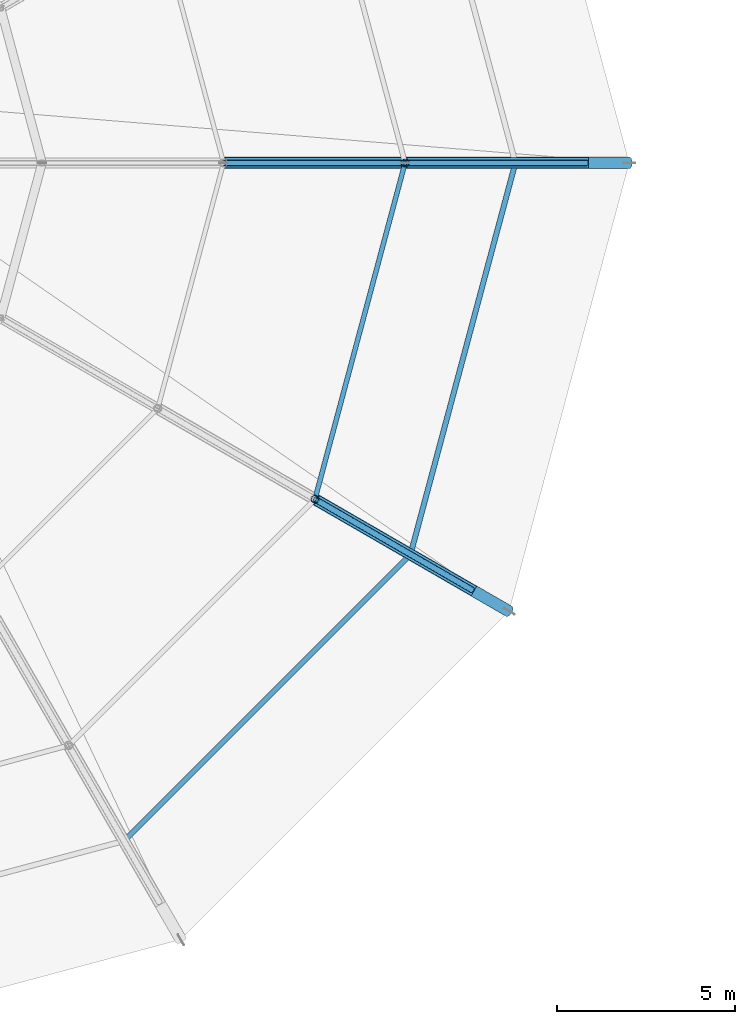
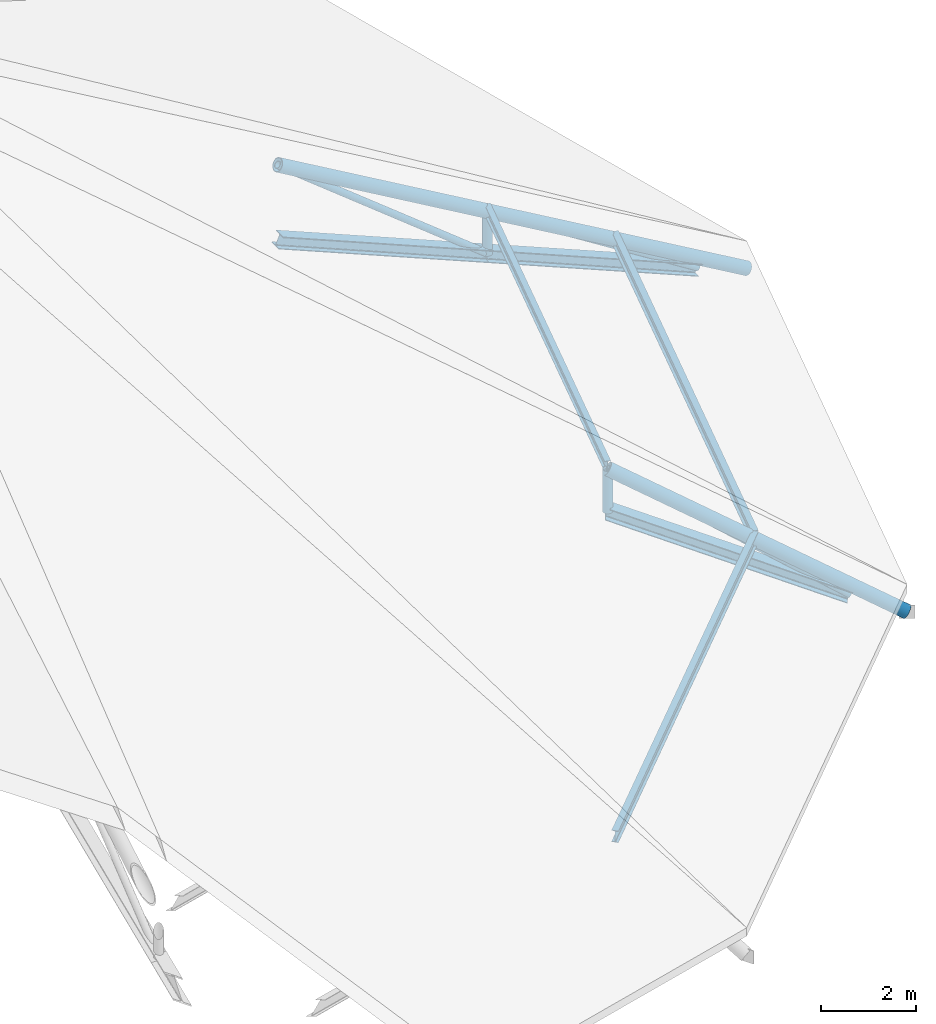
# One storey, part 21 of 58: 14 members.
"""IFC4 building model written with IfcOpenShell, lengths in metres."""

from ifc_helpers import new_model, si_unit, derived_unit, direction, frame, origin, origin_2d, place, context, subcontext, project, spatial, hollow_circle, i_section, extrude, material, material_profile, profile_set, type_object, element, save


model = new_model("IFC4")

# Units and contexts
model_context = context("Model", 3, precision=1e-05, world=origin(), true_north=direction((0.0, 1.0)))
body_context = subcontext(model_context, "Body", "Model", "MODEL_VIEW")
ifc_project = project(units=[si_unit("LENGTHUNIT", "METRE"), si_unit("AREAUNIT", "SQUARE_METRE"), si_unit("VOLUMEUNIT", "CUBIC_METRE"), si_unit("PLANEANGLEUNIT", "RADIAN"), si_unit("MASSUNIT", "GRAM", prefix="KILO"), derived_unit("THERMALTRANSMITTANCEUNIT", [(si_unit("POWERUNIT", "WATT"), 1), (si_unit("AREAUNIT", "SQUARE_METRE"), -1), (si_unit("THERMODYNAMICTEMPERATUREUNIT", "KELVIN"), -1)])], contexts=[model_context])

# Site, building, storey
site_placement = place(None, origin())
site = spatial("IfcSite", under=ifc_project, at=site_placement, CompositionType="ELEMENT")
building_placement = place(site_placement, origin())
building = spatial("IfcBuilding", under=site, at=building_placement, Name="Yasenodar Specialist Clinic", CompositionType="ELEMENT")
storey_placement = place(building_placement, frame((0.0, 0.0, 21.300048828125)))
storey = spatial("IfcBuildingStorey", under=building, at=storey_placement, Name="L05", CompositionType="ELEMENT", Elevation=21.300048828125)

# Members
ifc_material = material(Name="Steel S355", Category="steel")
ifc_material_profile_1 = material_profile(ifc_material, i_section(OverallWidth=0.135009765625, OverallDepth=0.27001953125, WebThickness=0.006591796875, FlangeThickness=0.01025390625, FilletRadius=0.014892578125, at=origin_2d()), Name="IPE 270")
ifc_profile_set_1 = profile_set([ifc_material_profile_1], Name="Steel S355")
member_type_1 = type_object("IfcMemberType", Name="PR-IPE270", PredefinedType="PURLIN", material=ifc_profile_set_1)
member_1_placement = place(storey_placement, frame((97.367919921875, 49.35009765625, 3.034912109375), z_axis=(0.258807184805, 0.965929004168, 0.0), x_axis=(-0.965929004168, 0.258807184805, 0.0)))
element("IfcMember", 1, at=member_1_placement, inside=storey, type_object=member_type_1, Name="Drum Roof Concentric Purlin 2.12", PredefinedType="PURLIN", context=body_context, shape_type="SweptSolid", body=[
    extrude(i_section(OverallWidth=0.135009765625, OverallDepth=0.27001953125, WebThickness=0.006591796875, FlangeThickness=0.01025390625, FilletRadius=0.014892578125, at=origin_2d()), origin(), (0.0, 0.0, 1.0), 9.783203125),
])
ifc_material_profile_2 = material_profile(ifc_material, i_section(OverallWidth=0.14990234375, OverallDepth=0.300048828125, WebThickness=0.007080078125, FlangeThickness=0.0107421875, FilletRadius=0.014892578125, at=origin_2d()), Name="IPE 300")
ifc_profile_set_2 = profile_set([ifc_material_profile_2], Name="Steel S355")
member_type_2 = type_object("IfcMemberType", Name="PR-IPE300", PredefinedType="PURLIN", material=ifc_profile_set_2)
member_2_placement = place(storey_placement, frame((92.0, 39.747314453125, 1.2265625), z_axis=(0.707096062007, 0.707117500204, 0.0), x_axis=(-0.707117500204, 0.707096062007, 0.0)))
element("IfcMember", 2, at=member_2_placement, inside=storey, type_object=member_type_2, Name="Drum Roof Concentric Purlin 1.11", PredefinedType="PURLIN", context=body_context, shape_type="SweptSolid", body=[
    extrude(i_section(OverallWidth=0.14990234375, OverallDepth=0.300048828125, WebThickness=0.007080078125, FlangeThickness=0.0107421875, FilletRadius=0.014892578125, at=origin_2d()), origin(), (0.0, 0.0, 1.0), 11.38818359375),
])
member_3_placement = place(storey_placement, frame((100.052490234375, 47.800048828125, 1.2265625), z_axis=(0.258824669437, 0.965924319236, 0.0), x_axis=(-0.965924319236, 0.258824669437, 0.0)))
element("IfcMember", 3, at=member_3_placement, inside=storey, type_object=member_type_2, Name="Drum Roof Concentric Purlin 1.12", PredefinedType="PURLIN", context=body_context, shape_type="SweptSolid", body=[
    extrude(i_section(OverallWidth=0.14990234375, OverallDepth=0.300048828125, WebThickness=0.007080078125, FlangeThickness=0.0107421875, FilletRadius=0.014892578125, at=origin_2d()), origin(), (0.0, 0.0, 1.0), 11.387939453125),
])
ifc_material_profile_3 = material_profile(ifc_material, hollow_circle(Radius=0.084228515625, WallThickness=0.008056640625, at=origin_2d()), Name="CHS 168.3x8")
ifc_profile_set_3 = profile_set([ifc_material_profile_3], Name="Steel S355")
member_type_3 = type_object("IfcMemberType", Name="TR-BRC-CHS168", PredefinedType="BRACE", material=ifc_profile_set_3)
member_4_placement = place(storey_placement, frame((105.0, 58.800048828125, -0.25), z_axis=(-0.845209012224, 0.0, 0.534435894804), x_axis=(0.0, -1.0, 0.0)))
element("IfcMember", 4, at=member_4_placement, inside=storey, type_object=member_type_3, Name="Drum Roof Truss 01 Web Diagonal 1", PredefinedType="BRACE", context=body_context, shape_type="SweptSolid", body=[
    extrude(hollow_circle(Radius=0.084228515625, WallThickness=0.008056640625, at=origin_2d()), origin(), (0.0, 0.0, 1.0), 6.0341796875),
])
member_5_placement = place(storey_placement, frame((99.89990234375, 58.800048828125, 1.887451171875), z_axis=(-0.782167611206, 0.0, 0.623068076522), x_axis=(0.0, -1.0, 0.0)))
element("IfcMember", 5, at=member_5_placement, inside=storey, type_object=member_type_3, Name="Drum Roof Truss 01 Web Diagonal 2", PredefinedType="BRACE", context=body_context, shape_type="SweptSolid", body=[
    extrude(hollow_circle(Radius=0.084228515625, WallThickness=0.008056640625, at=origin_2d()), origin(), (0.0, 0.0, 1.0), 6.520263671875),
])
member_6_placement = place(storey_placement, frame((101.78466796875, 46.800048828125, -0.25), z_axis=(-0.731967391976, 0.422607893936, 0.534440179128), x_axis=(-0.500005610874, -0.86602216432, 0.0)))
element("IfcMember", 6, at=member_6_placement, inside=storey, type_object=member_type_3, Name="Drum Roof Truss 12 Web Diagonal 1", PredefinedType="BRACE", context=body_context, shape_type="SweptSolid", body=[
    extrude(hollow_circle(Radius=0.084228515625, WallThickness=0.008056640625, at=origin_2d()), origin(), (0.0, 0.0, 1.0), 6.0341796875),
])
ifc_material_profile_4 = material_profile(ifc_material, hollow_circle(Radius=0.161865234375, WallThickness=0.01611328125, at=origin_2d()), Name="CHS 323.9x16")
ifc_profile_set_4 = profile_set([ifc_material_profile_4], Name="Steel S355")
member_type_4 = type_object("IfcMemberType", Name="TR-CHD-CHS324", PredefinedType="CHORD", material=ifc_profile_set_4)
member_7_placement = place(storey_placement, frame((106.199951171875, 58.800048828125, -0.699951171875), z_axis=(-0.86379225544, 0.0, 0.503848131327), x_axis=(0.0, -1.0, 0.0)))
element("IfcMember", 7, at=member_7_placement, inside=storey, type_object=member_type_4, Name="Drum Roof Truss 01 Top Chord 1", PredefinedType="CHORD", context=body_context, shape_type="SweptSolid", body=[
    extrude(hollow_circle(Radius=0.161865234375, WallThickness=0.01611328125, at=origin_2d()), origin(), (0.0, 0.0, 1.0), 7.29345703125),
])
member_8_placement = place(storey_placement, frame((99.89990234375, 58.800048828125, 2.974853515625), z_axis=(-0.863765402838, 0.0, 0.503894164344), x_axis=(0.0, -1.0, 0.0)))
element("IfcMember", 8, at=member_8_placement, inside=storey, type_object=member_type_4, Name="Drum Roof Truss 01 Top Chord 2", PredefinedType="CHORD", context=body_context, shape_type="SweptSolid", body=[
    extrude(hollow_circle(Radius=0.161865234375, WallThickness=0.01611328125, at=origin_2d()), origin(), (0.0, 0.0, 1.0), 5.904296875),
])
member_9_placement = place(storey_placement, frame((102.82373046875, 46.199951171875, -0.699951171875), z_axis=(-0.748049048481, 0.431918238356, 0.503854400042), x_axis=(-0.500027713859, -0.866009402589, 0.0)))
element("IfcMember", 9, at=member_9_placement, inside=storey, type_object=member_type_4, Name="Drum Roof Truss 12 Top Chord 1", PredefinedType="CHORD", context=body_context, shape_type="SweptSolid", body=[
    extrude(hollow_circle(Radius=0.161865234375, WallThickness=0.01611328125, at=origin_2d()), origin(), (0.0, 0.0, 1.0), 7.29345703125),
])
ifc_material_profile_5 = material_profile(ifc_material, i_section(OverallWidth=0.300048828125, OverallDepth=0.300048828125, WebThickness=0.010986328125, FlangeThickness=0.01904296875, FilletRadius=0.027099609375, at=origin_2d()), Name="HEB 300")
ifc_profile_set_5 = profile_set([ifc_material_profile_5], Name="Steel S355")
member_type_5 = type_object("IfcMemberType", Name="TR-CHD-HEB300", PredefinedType="CHORD", material=ifc_profile_set_5)
for number, where, z_axis, x_axis, name in (
    (10, (105.0, 58.800048828125, -0.25), (-0.92227816564, 0.0, 0.386526823369), (0.0, -1.0, 0.0), "Drum Roof Truss 01 Bottom Chord 1"),
    (11, (99.89990234375, 58.800048828125, 1.887451171875), (-0.922271569205, 0.0, 0.386542562516), (0.0, -1.0, 0.0), "Drum Roof Truss 01 Bottom Chord 2"),
    (12, (101.78466796875, 46.800048828125, -0.25), (-0.798711994016, 0.461143484467, 0.38653051283), (-0.500005610874, -0.86602216432, 0.0), "Drum Roof Truss 12 Bottom Chord 1"),
):
    element("IfcMember", number, at=place(storey_placement, frame(where, z_axis=z_axis, x_axis=x_axis)), inside=storey, type_object=member_type_5, Name=name, PredefinedType="CHORD", context=body_context, shape_type="SweptSolid", body=[
        extrude(i_section(OverallWidth=0.300048828125, OverallDepth=0.300048828125, WebThickness=0.010986328125, FlangeThickness=0.01904296875, FilletRadius=0.027099609375, at=origin_2d()), origin(), (0.0, 0.0, 1.0), 5.52978515625),
    ])
ifc_material_profile_6 = material_profile(ifc_material, hollow_circle(Radius=0.109619140625, WallThickness=0.010009765625, at=origin_2d()), Name="CHS 219.1x10")
ifc_profile_set_6 = profile_set([ifc_material_profile_6], Name="Steel S355")
member_type_6 = type_object("IfcMemberType", Name="TR-STR-CHS219", PredefinedType="STRUT", material=ifc_profile_set_6)
for number, where, z_axis, x_axis, name in (
    (13, (99.89990234375, 58.800048828125, 1.887451171875), (0.0, 0.0, 1.0), (1.0, 0.0, 0.0), "Drum Roof Truss 01 Strut 1"),
    (14, (97.367919921875, 49.35009765625, 1.887451171875), (0.0, 0.0, 1.0), (1.0, 0.0, 0.0), "Drum Roof Truss 12 Strut 1"),
):
    element("IfcMember", number, at=place(storey_placement, frame(where, z_axis=z_axis, x_axis=x_axis)), inside=storey, type_object=member_type_6, Name=name, PredefinedType="STRUT", context=body_context, shape_type="SweptSolid", body=[
        extrude(hollow_circle(Radius=0.109619140625, WallThickness=0.010009765625, at=origin_2d()), origin(), (0.0, 0.0, 1.0), 1.08740234375),
    ])

save(model, "model.ifc")
